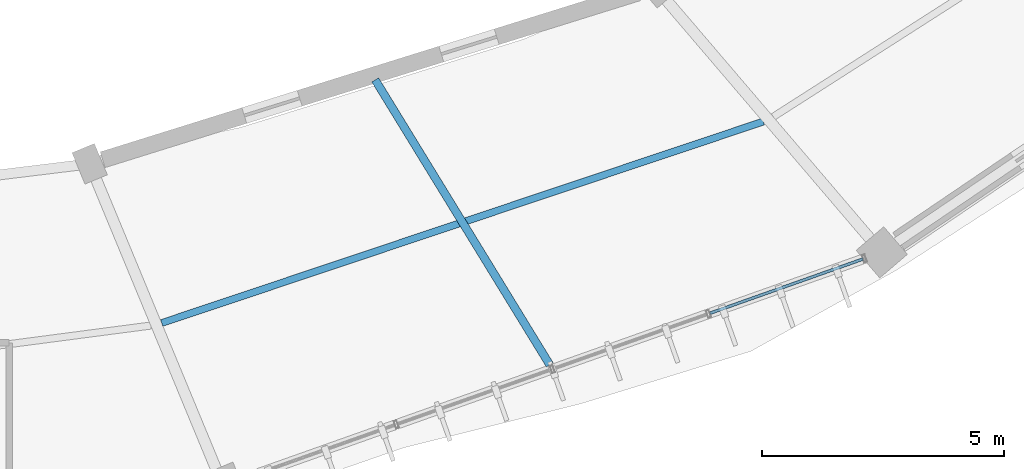
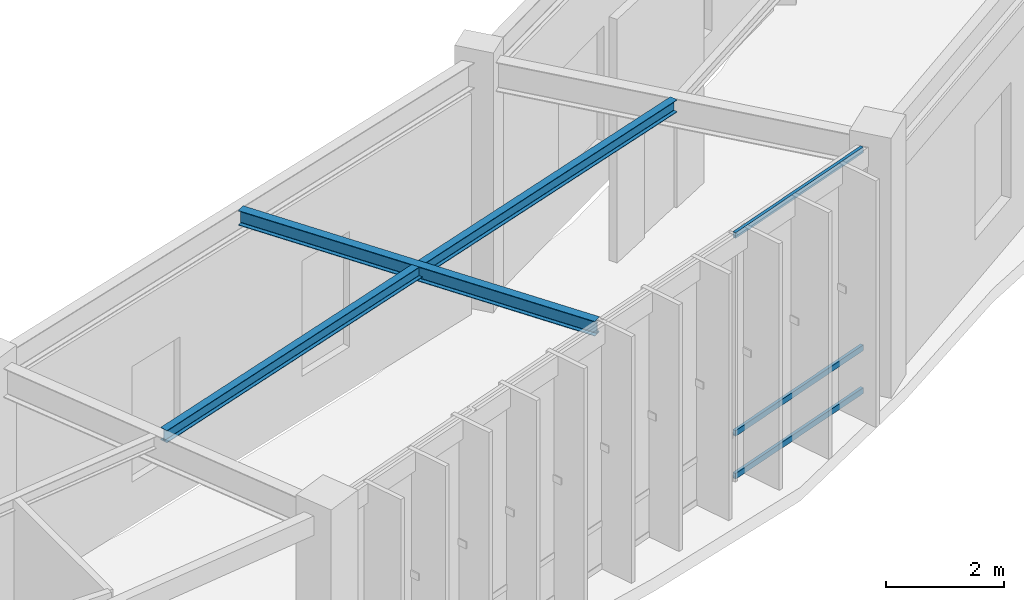
# One storey, part 63 of 157: 3 members, 2 beams, 1 element without a shape of its own.
"""IFC4 building model written with IfcOpenShell, lengths in metres."""

from ifc_helpers import new_model, si_unit, direction, frame, origin, origin_2d, place, context, subcontext, project, spatial, hollow_rectangle, i_section, extrude, material, material_profile, profile_set, type_object, element, aggregate, save


model = new_model("IFC4")

# Units and contexts
model_context = context("Model", 3, precision=1e-05, world=origin(), true_north=direction((0.0, 1.0)))
body_context = subcontext(model_context, "Body", "Model", "MODEL_VIEW")
ifc_project = project(units=[si_unit("LENGTHUNIT", "METRE"), si_unit("AREAUNIT", "SQUARE_METRE"), si_unit("VOLUMEUNIT", "CUBIC_METRE"), si_unit("PLANEANGLEUNIT", "RADIAN"), si_unit("MASSUNIT", "GRAM", prefix="KILO"), si_unit("THERMODYNAMICTEMPERATUREUNIT", "KELVIN"), si_unit("POWERUNIT", "WATT")], contexts=[model_context])

# Site, building, storey
site_placement = place(None, origin())
site = spatial("IfcSite", under=ifc_project, at=site_placement, CompositionType="ELEMENT")
building_placement = place(site_placement, origin())
building = spatial("IfcBuilding", under=site, at=building_placement, Name="Darbajah Civic Hall", CompositionType="ELEMENT")
storey_placement = place(building_placement, origin())
storey = spatial("IfcBuildingStorey", under=building, at=storey_placement, Name="L00", CompositionType="ELEMENT", Elevation=0.0)

# Curtain wall, members
ifc_material_1 = material(Name="Anodised Bronze Aluminium and Low-E Glazing", Category="aluminium")
curtain_wall_type = type_object("IfcCurtainWallType", Name="Unitised Curtain Wall CW-15 13700x5100", PredefinedType="USERDEFINED", material=ifc_material_1)
curtain_wall_placement = place(storey_placement, origin())
curtain_wall = element("IfcCurtainWall", 1, at=curtain_wall_placement, inside=storey, type_object=curtain_wall_type, Name="L00 unitised curtain wall CW-V1O-L00-16", ObjectType="UNITISED CURTAIN WALL", PredefinedType="USERDEFINED")
ifc_material_2 = material(Name="Anodised Bronze Aluminium", Category="aluminium")
ifc_material_profile_1 = material_profile(ifc_material_2, hollow_rectangle(XDim=0.06005859375, YDim=0.1201171875, WallThickness=0.003173828125, at=origin_2d()), Name="ALU TRANSOM 60x120")
ifc_profile_set_1 = profile_set([ifc_material_profile_1], Name="Anodised Bronze Aluminium")
member_type = type_object("IfcMemberType", Name="ALU TRANSOM 60x120", PredefinedType="USERDEFINED", material=ifc_profile_set_1)
member_1_placement = place(storey_placement, frame((118.676025390625, 66.111083984375, 0.06005859375), z_axis=(0.94254549251, 0.334077827083, 0.0), x_axis=(-0.334077827083, 0.94254549251, 0.0)))
member_1 = element("IfcMember", 2, at=member_1_placement, type_object=member_type, Name="CW-V1O-L00-16 transom 4.1", ObjectType="TRANSOM", PredefinedType="USERDEFINED", context=body_context, shape_type="SweptSolid", body=[
    extrude(hollow_rectangle(XDim=0.06005859375, YDim=0.1201171875, WallThickness=0.003173828125, at=origin_2d()), origin(), (0.0, 0.0, 1.0), 3.349853515625),
])
member_2_placement = place(storey_placement, frame((118.676025390625, 66.111083984375, 0.949951171875), z_axis=(0.94254549251, 0.334077827083, 0.0), x_axis=(-0.334077827083, 0.94254549251, 0.0)))
member_2 = element("IfcMember", 3, at=member_2_placement, type_object=member_type, Name="CW-V1O-L00-16 transom 4.2", ObjectType="TRANSOM", PredefinedType="USERDEFINED", context=body_context, shape_type="SweptSolid", body=[
    extrude(hollow_rectangle(XDim=0.06005859375, YDim=0.1201171875, WallThickness=0.003173828125, at=origin_2d()), origin(), (0.0, 0.0, 1.0), 3.349853515625),
])
member_3_placement = place(storey_placement, frame((118.676025390625, 66.111083984375, 5.06005859375), z_axis=(0.94254549251, 0.334077827083, 0.0), x_axis=(-0.334077827083, 0.94254549251, 0.0)))
member_3 = element("IfcMember", 4, at=member_3_placement, type_object=member_type, Name="CW-V1O-L00-16 transom 4.3", ObjectType="TRANSOM", PredefinedType="USERDEFINED", context=body_context, shape_type="SweptSolid", body=[
    extrude(hollow_rectangle(XDim=0.06005859375, YDim=0.1201171875, WallThickness=0.003173828125, at=origin_2d()), origin(), (0.0, 0.0, 1.0), 3.349853515625),
])
aggregate(curtain_wall, [member_1, member_2, member_3])

# Beams
ifc_material_3 = material(Name="Steel S355JR", Category="steel")
ifc_material_profile_2 = material_profile(ifc_material_3, i_section(OverallWidth=0.146484375, OverallDepth=0.256103515625, WebThickness=0.00634765625, FlangeThickness=0.010986328125, FilletRadius=0.007568359375, at=origin_2d()), Name="UB 254x146x37")
ifc_profile_set_2 = profile_set([ifc_material_profile_2], Name="Steel S355JR")
beam_type_1 = type_object("IfcBeamType", Name="UB 254x146x37", PredefinedType="JOIST", material=ifc_profile_set_2)
beam_1_placement = place(storey_placement, frame((107.34912109375, 65.908447265625, 4.991943359375), z_axis=(0.948257615403, 0.317501960357, 0.0), x_axis=(-0.317501960357, 0.948257615403, 0.0)))
element("IfcBeam", 5, at=beam_1_placement, inside=storey, type_object=beam_type_1, Name="L00 beam SJ-254", PredefinedType="JOIST", context=body_context, shape_type="SweptSolid", body=[
    extrude(i_section(OverallWidth=0.146484375, OverallDepth=0.256103515625, WebThickness=0.00634765625, FlangeThickness=0.010986328125, FilletRadius=0.007568359375, at=origin_2d()), origin(), (0.0, 0.0, 1.0), 13.102783203125),
])
ifc_material_profile_3 = material_profile(ifc_material_3, i_section(OverallWidth=0.165771484375, OverallDepth=0.306640625, WebThickness=0.006591796875, FlangeThickness=0.01171875, FilletRadius=0.0087890625, at=origin_2d()), Name="UB 305x165x46")
ifc_profile_set_3 = profile_set([ifc_material_profile_3], Name="Steel S355JR")
beam_type_2 = type_object("IfcBeamType", Name="UB 305x165x46", PredefinedType="JOIST", material=ifc_profile_set_3)
beam_2_placement = place(storey_placement, frame((111.759033203125, 70.9296875, 4.966796875), z_axis=(0.522523909848, -0.852624632319, 0.0), x_axis=(0.852624632319, 0.522523909848, 0.0)))
element("IfcBeam", 6, at=beam_2_placement, inside=storey, type_object=beam_type_2, Name="L00 beam SJ-305", PredefinedType="JOIST", context=body_context, shape_type="SweptSolid", body=[
    extrude(i_section(OverallWidth=0.165771484375, OverallDepth=0.306640625, WebThickness=0.006591796875, FlangeThickness=0.01171875, FilletRadius=0.0087890625, at=origin_2d()), origin(), (0.0, 0.0, 1.0), 6.9033203125),
])

save(model, "model.ifc")
